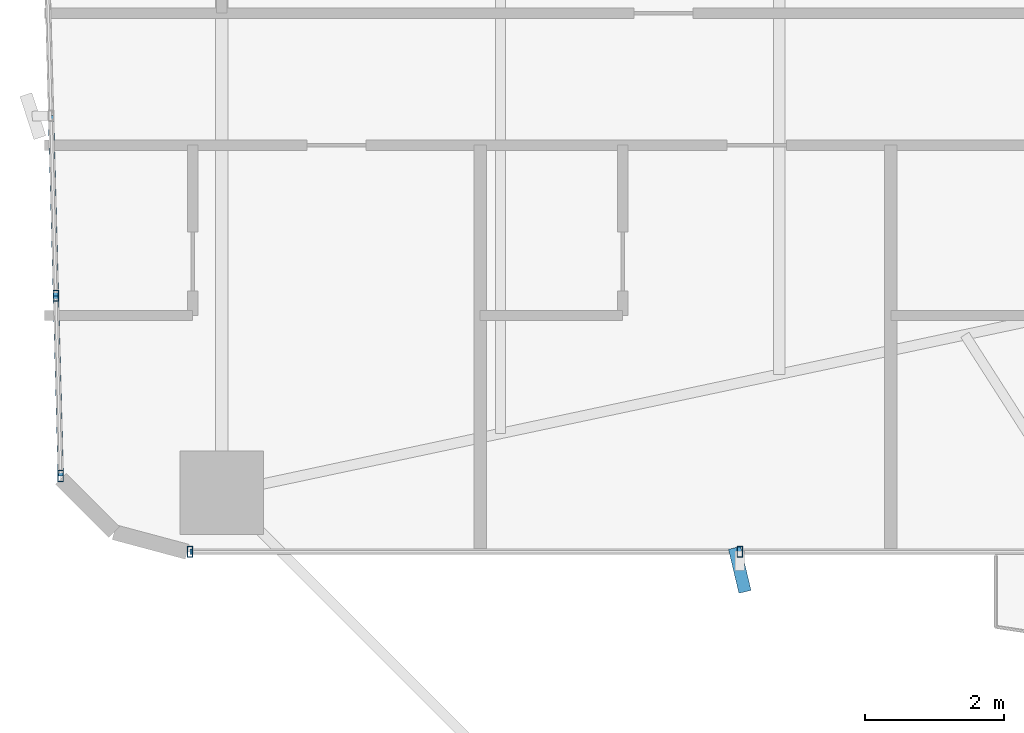
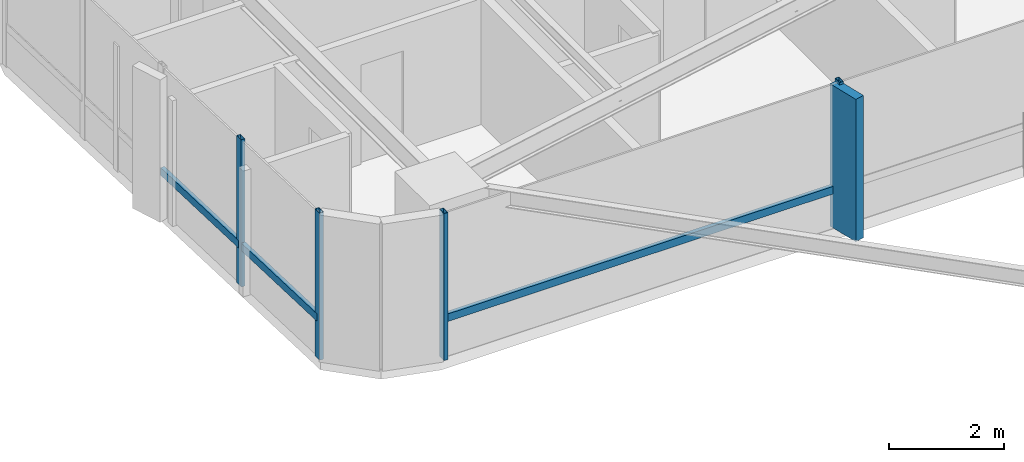
# One storey, part 6 of 25: 8 members, 2 elements without a shape of their own.
"""IFC4 building model written with IfcOpenShell, lengths in metres."""

from ifc_helpers import new_model, si_unit, direction, frame, origin, origin_2d, place, context, subcontext, project, spatial, rectangle, hollow_rectangle, extrude, source, transform, mapped, material, material_profile, profile_set, type_object, element, aggregate, save


model = new_model("IFC4")

# Units and contexts
model_context = context("Model", 3, precision=1e-05, world=origin(), true_north=direction((0.0, 1.0)))
body_context = subcontext(model_context, "Body", "Model", "MODEL_VIEW")
ifc_project = project(units=[si_unit("LENGTHUNIT", "METRE"), si_unit("AREAUNIT", "SQUARE_METRE"), si_unit("VOLUMEUNIT", "CUBIC_METRE"), si_unit("PLANEANGLEUNIT", "RADIAN"), si_unit("MASSUNIT", "GRAM", prefix="KILO")], contexts=[model_context])

# Site, building, storey
site_placement = place(None, origin())
site = spatial("IfcSite", under=ifc_project, at=site_placement, CompositionType="ELEMENT")
building_placement = place(site_placement, origin())
building = spatial("IfcBuilding", under=site, at=building_placement, Name="Sahyath Konkavel Grand Hotel", CompositionType="ELEMENT")
storey_placement = place(building_placement, frame((0.0, 0.0, 33.14990234375)))
storey = spatial("IfcBuildingStorey", under=building, at=storey_placement, Name="L08", CompositionType="ELEMENT", Elevation=33.14990234375)

# Curtain wall, members
ifc_material_1 = material(Name="Anodised Bronze Aluminium & Low-E Glazing", Category="aluminium")
curtain_wall_type = type_object("IfcCurtainWallType", Name="CW-ZONE1", PredefinedType="NOTDEFINED", material=ifc_material_1)
curtain_wall_1_placement = place(storey_placement, origin())
curtain_wall_1 = element("IfcCurtainWall", 1, at=curtain_wall_1_placement, inside=storey, type_object=curtain_wall_type, Name="L08 Unitised Curtain Wall F23", PredefinedType="NOTDEFINED")
ifc_material_2 = material(Name="Warm Buff Sandstone Cladding on Concrete C50/60", Category="masonry")
ifc_material_profile_1 = material_profile(ifc_material_2, rectangle(XDim=0.179931640625, YDim=0.64990234375, at=origin_2d()), Name="FIN 180x650")
ifc_profile_set_1 = profile_set([ifc_material_profile_1], Name="Warm Buff Sandstone Cladding on Concrete C50/60")
member_type_1 = type_object("IfcMemberType", Name="FIN-SANDSTONE-650", PredefinedType="MULLION", material=ifc_profile_set_1)
shared_shape_1 = source(origin(), body_context, "Body", "SweptSolid", [
    extrude(rectangle(XDim=0.179931640625, YDim=0.64990234375, at=origin_2d()), origin(), (0.0, 0.0, 1.0), 3.010009765625),
])
member_1_placement = place(storey_placement, frame((-14.75, -7.06005859375, 0.050048828125), z_axis=(0.0, 0.0, 1.0), x_axis=(0.973138706701, 0.230219585439, 0.0)))
member_1 = element("IfcMember", 2, at=member_1_placement, type_object=member_type_1, Name="L08 Sandstone Vertical Solar Fin FIN F23-1", PredefinedType="MULLION", context=body_context, shape_type="MappedRepresentation", body=[
    mapped(shared_shape_1, transform((0.0, 0.0, 0.0), scale=1.0)),
])
ifc_material_3 = material(Name="Anodised Bronze Aluminium", Category="aluminium")
ifc_material_profile_2 = material_profile(ifc_material_3, hollow_rectangle(XDim=0.080078125, YDim=0.159912109375, WallThickness=0.006103515625, at=origin_2d()), Name="RHS 160x80x6")
ifc_profile_set_2 = profile_set([ifc_material_profile_2], Name="Anodised Bronze Aluminium")
member_type_2 = type_object("IfcMemberType", Name="CW-TRN-160", PredefinedType="USERDEFINED", material=ifc_profile_set_2)
shared_shape_2 = source(origin(), body_context, "Body", "SweptSolid", [
    extrude(hollow_rectangle(XDim=0.080078125, YDim=0.159912109375, WallThickness=0.006103515625, at=origin_2d()), origin(), (0.0, 0.0, 1.0), 7.909912109375),
])
member_2_placement = place(storey_placement, frame((-22.659912109375, -6.800048828125, 0.85009765625), z_axis=(1.0, 0.0, 0.0), x_axis=(0.0, 1.0, 0.0)))
member_2 = element("IfcMember", 3, at=member_2_placement, type_object=member_type_2, Name="L08 Curtain Wall Transom F23-0-spandrel", ObjectType="TRANSOM", PredefinedType="USERDEFINED", context=body_context, shape_type="MappedRepresentation", body=[
    mapped(shared_shape_2, transform((0.0, 0.0, 0.0), scale=1.0)),
])

curtain_wall_2_placement = place(storey_placement, origin())
curtain_wall_2 = element("IfcCurtainWall", 4, at=curtain_wall_2_placement, inside=storey, type_object=curtain_wall_type, Name="L08 Unitised Curtain Wall F20", PredefinedType="NOTDEFINED")
shared_shape_3 = source(origin(), body_context, "Body", "SweptSolid", [
    extrude(hollow_rectangle(XDim=0.080078125, YDim=0.159912109375, WallThickness=0.006103515625, at=origin_2d()), origin(), (0.0, 0.0, 1.0), 2.593505859375),
])
member_3_placement = place(storey_placement, frame((-24.6591796875, -0.52490234375, 0.85009765625), z_axis=(0.02682902444, -0.999640036937, 0.0), x_axis=(0.999640036937, 0.02682902444, 0.0)))
member_3 = element("IfcMember", 5, at=member_3_placement, type_object=member_type_2, Name="L08 Curtain Wall Transom F20-2-spandrel", ObjectType="TRANSOM", PredefinedType="USERDEFINED", context=body_context, shape_type="MappedRepresentation", body=[
    mapped(shared_shape_3, transform((0.0, 0.0, 0.0), scale=1.0)),
])
member_4_placement = place(storey_placement, frame((-24.589599609375, -3.117431640625, 0.85009765625), z_axis=(0.026923093252, -0.999637507825, 0.0), x_axis=(0.999637507825, 0.026923093252, 0.0)))
member_4 = element("IfcMember", 6, at=member_4_placement, type_object=member_type_2, Name="L08 Curtain Wall Transom F20-3-spandrel", ObjectType="TRANSOM", PredefinedType="USERDEFINED", context=body_context, shape_type="MappedRepresentation", body=[
    mapped(shared_shape_3, transform((0.0, 0.0, 0.0), scale=1.0)),
])
ifc_material_profile_3 = material_profile(ifc_material_3, hollow_rectangle(XDim=0.080078125, YDim=0.159912109375, WallThickness=0.006103515625, at=origin_2d()), Name="RHS 160x80x6")
ifc_profile_set_3 = profile_set([ifc_material_profile_3], Name="Anodised Bronze Aluminium")
member_type_3 = type_object("IfcMemberType", Name="CW-MUL-160", PredefinedType="MULLION", material=ifc_profile_set_3)
shared_shape_4 = source(origin(), body_context, "Body", "SweptSolid", [
    extrude(hollow_rectangle(XDim=0.080078125, YDim=0.159912109375, WallThickness=0.006103515625, at=origin_2d()), origin(), (0.0, 0.0, 1.0), 3.110107421875),
])
member_5_placement = place(storey_placement, frame((-24.589599609375, -3.117431640625, 0.0), z_axis=(0.0, 0.0, 1.0), x_axis=(1.0, 0.0, 0.0)))
member_5 = element("IfcMember", 7, at=member_5_placement, type_object=member_type_3, Name="L08 Curtain Wall Mullion F20-3", PredefinedType="MULLION", context=body_context, shape_type="MappedRepresentation", body=[
    mapped(shared_shape_4, transform((0.0, 0.0, 0.0), scale=1.0)),
])
member_6_placement = place(storey_placement, frame((-24.519775390625, -5.7099609375, 0.0), z_axis=(0.0, 0.0, 1.0), x_axis=(1.0, 0.0, 0.0)))
member_6 = element("IfcMember", 8, at=member_6_placement, type_object=member_type_3, Name="L08 Curtain Wall Mullion F20-4", PredefinedType="MULLION", context=body_context, shape_type="MappedRepresentation", body=[
    mapped(shared_shape_4, transform((0.0, 0.0, 0.0), scale=1.0)),
])
aggregate(curtain_wall_2, [member_5, member_6, member_3, member_4])

# Member
member_7_placement = place(storey_placement, frame((-22.659912109375, -6.800048828125, 0.0), z_axis=(0.0, 0.0, 1.0), x_axis=(1.0, 0.0, 0.0)))
member_7 = element("IfcMember", 9, at=member_7_placement, type_object=member_type_3, Name="L08 Curtain Wall Mullion F23-0", PredefinedType="MULLION", context=body_context, shape_type="MappedRepresentation", body=[
    mapped(shared_shape_4, transform((0.0, 0.0, 0.0), scale=1.0)),
])

member_8_placement = place(storey_placement, frame((-14.75, -6.800048828125, 0.0), z_axis=(0.0, 0.0, 1.0), x_axis=(1.0, 0.0, 0.0)))
member_8 = element("IfcMember", 10, at=member_8_placement, type_object=member_type_3, Name="L08 Curtain Wall Mullion F23-1", PredefinedType="MULLION", context=body_context, shape_type="MappedRepresentation", body=[
    mapped(shared_shape_4, transform((0.0, 0.0, 0.0), scale=1.0)),
])

aggregate(curtain_wall_1, [member_7, member_8, member_1, member_2])

save(model, "model.ifc")
